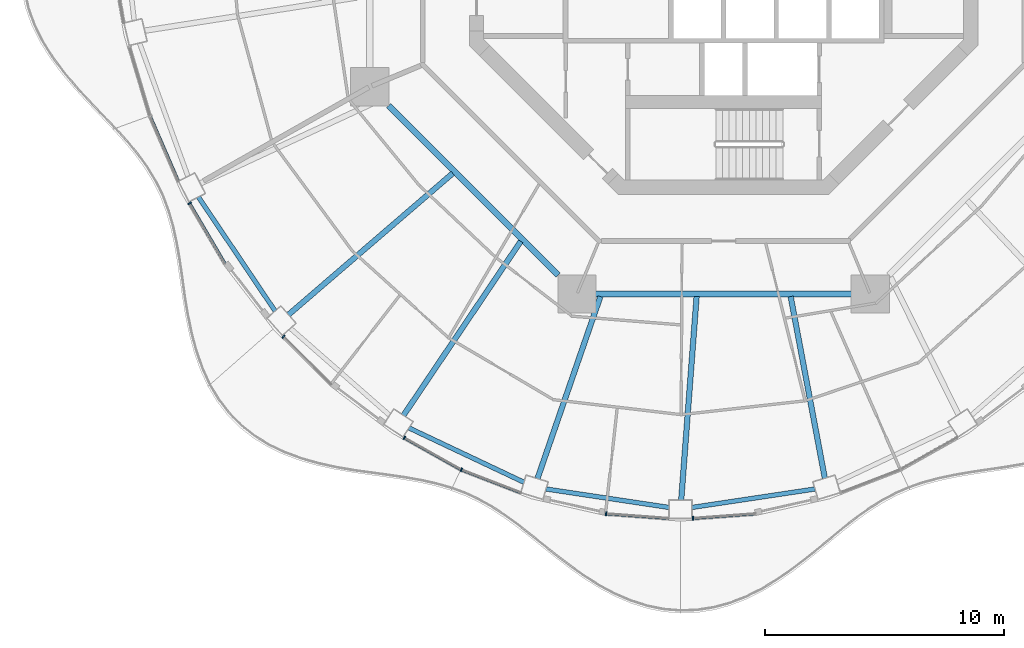
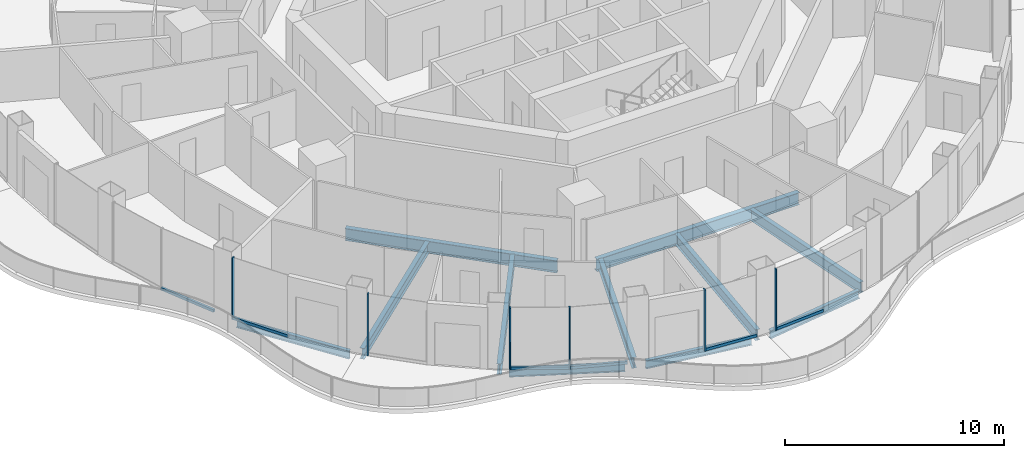
# One storey, part 2 of 18: 12 members, 11 beams, 7 elements without a shape of their own.
"""IFC4 building model written with IfcOpenShell, lengths in metres."""

import ifcopenshell
import ifcopenshell.guid

model = None  # the IFC model being written
_history = None  # IfcOwnerHistory: only IFC2X3 demands one
_inside = {}  # id of a spatial element -> (the spatial element, [elements in it])
_under = {}  # id of a project, library or spatial element -> (it, [spatial elements below it])
_declared = {}  # id of a project -> (the project, [libraries it declares])
_typed = {}  # id of a type object -> (the type object, [elements of that type])
_made_of = {}  # id of a material, layer set ... -> (it, [elements and type objects made of it])


def new_model(schema):
    """Start an empty IFC model of exactly this schema.

    Asked for "IFC4X3", IfcOpenShell would pick the latest addendum, in which some entities
    have other attributes; the version numbers below select the first issue.
    IFC2X3 requires an IfcOwnerHistory on every rooted entity: one is made here for all.
    """
    global model, _history
    if schema == "IFC4X3":
        model = ifcopenshell.file(schema_version=(4, 3, 0, 0))
    else:
        model = ifcopenshell.file(schema=schema)
    _inside.clear()
    _under.clear()
    _declared.clear()
    _typed.clear()
    _made_of.clear()
    _history = None
    if model.schema == "IFC2X3":
        org = make("IfcOrganization", Name="unknown")
        user = make(
            "IfcPersonAndOrganization",
            ThePerson=make("IfcPerson", FamilyName="unknown"),
            TheOrganization=org,
        )
        app = make(
            "IfcApplication",
            ApplicationDeveloper=org,
            Version="unknown",
            ApplicationFullName="unknown",
            ApplicationIdentifier="unknown",
        )
        _history = make(
            "IfcOwnerHistory",
            OwningUser=user,
            OwningApplication=app,
            ChangeAction="ADDED",
            CreationDate=0,
        )
    return model


def make(cls, **values):
    """One entity of the class cls with the attributes given. An attribute that is None is left unset."""
    return model.create_entity(
        cls, **{name: value for name, value in values.items() if value is not None}
    )


def rooted(cls, **values):
    """An entity with a GlobalId (a new one), such as an element, a storey or a relation."""
    return make(cls, GlobalId=ifcopenshell.guid.new(), OwnerHistory=_history, **values)


def si_unit(unit_type, name, prefix=None):
    """IfcSIUnit, for example si_unit("LENGTHUNIT", "METRE", prefix="MILLI")."""
    return make("IfcSIUnit", UnitType=unit_type, Prefix=prefix, Name=name)


def assignment(units):
    """IfcUnitAssignment: the units of a project."""
    return None if units is None else make("IfcUnitAssignment", Units=units)


def point(xyz):
    """IfcCartesianPoint."""
    return None if xyz is None else make("IfcCartesianPoint", Coordinates=xyz)


def direction(xyz):
    """IfcDirection."""
    return None if xyz is None else make("IfcDirection", DirectionRatios=xyz)


def frame(location, z_axis=None, x_axis=None):
    """IfcAxis2Placement3D, a coordinate frame: its origin and axes. An axis left out is left unset."""
    return make(
        "IfcAxis2Placement3D",
        Location=point(location),
        Axis=direction(z_axis),
        RefDirection=direction(x_axis),
    )


def frame_2d(location, x_axis=None):
    """IfcAxis2Placement2D, a coordinate frame in the plane: its origin and x axis."""
    return make(
        "IfcAxis2Placement2D", Location=point(location), RefDirection=direction(x_axis)
    )


def origin():
    """The frame at (0, 0, 0) with its axes left unset."""
    return frame((0.0, 0.0, 0.0))


def origin_2d():
    """The frame at (0, 0) in the plane with its x axis left unset."""
    return frame_2d((0.0, 0.0))


def place(relative_to, where):
    """IfcLocalPlacement: puts the frame where relative to a parent placement (None: the world)."""
    return make(
        "IfcLocalPlacement", PlacementRelTo=relative_to, RelativePlacement=where
    )


def context(
    kind, dimensions, precision=None, world=None, true_north=None, identifier=None
):
    """IfcGeometricRepresentationContext, for example the 3D "Model" context."""
    return make(
        "IfcGeometricRepresentationContext",
        ContextIdentifier=identifier,
        ContextType=kind,
        CoordinateSpaceDimension=dimensions,
        Precision=precision,
        WorldCoordinateSystem=world,
        TrueNorth=true_north,
    )


def subcontext(parent, identifier, kind, view, scale=None):
    """IfcGeometricRepresentationSubContext, for example "Body" below "Model"."""
    return make(
        "IfcGeometricRepresentationSubContext",
        ContextIdentifier=identifier,
        ContextType=kind,
        ParentContext=parent,
        TargetScale=scale,
        TargetView=view,
    )


def project(units=None, contexts=None):
    """IfcProject with its units and contexts."""
    return rooted(
        "IfcProject",
        Name="project",
        RepresentationContexts=contexts,
        UnitsInContext=assignment(units),
    )


def spatial(cls, under=None, at=None, **own):
    """A site, building, storey or space (cls), placed at a placement, below another one or the project."""
    s = rooted(cls, ObjectPlacement=at, **own)
    if under is not None:
        _under.setdefault(under.id(), (under, []))[1].append(s)
    return s


def profile(cls, at=None, kind="AREA", **sizes):
    """A parametric profile (cls). Its sizes go by their IFC names, for example OverallWidth=200.0."""
    return make(cls, ProfileType=kind, Position=at, **sizes)


def rectangle(**sizes):
    """IfcRectangleProfileDef."""
    return profile("IfcRectangleProfileDef", **sizes)


def i_section(**sizes):
    """IfcIShapeProfileDef."""
    return profile("IfcIShapeProfileDef", **sizes)


def extrude(swept, where, along, depth):
    """IfcExtrudedAreaSolid: the profile swept, set in the frame where, extruded along a direction by depth."""
    return make(
        "IfcExtrudedAreaSolid",
        SweptArea=swept,
        Position=where,
        ExtrudedDirection=direction(along),
        Depth=depth,
    )


def shape(context_of_items, identifier, shape_type, items):
    """IfcShapeRepresentation: the items that make up one representation, for example the "Body"."""
    return make(
        "IfcShapeRepresentation",
        ContextOfItems=context_of_items,
        RepresentationIdentifier=identifier,
        RepresentationType=shape_type,
        Items=items,
    )


def material(Name=None, Category=None):
    """IfcMaterial."""
    return make("IfcMaterial", Name=Name, Category=Category)


def layer(
    of_material, thickness, ventilated=None, Name=None, Category=None, Priority=None
):
    """IfcMaterialLayer: one layer of a wall or slab, of a material (None: an air gap)."""
    return make(
        "IfcMaterialLayer",
        Material=of_material,
        LayerThickness=thickness,
        IsVentilated=ventilated,
        Name=Name,
        Category=Category,
        Priority=Priority,
    )


def layer_set(layers, Name=None):
    """IfcMaterialLayerSet."""
    return make("IfcMaterialLayerSet", MaterialLayers=layers, LayerSetName=Name)


def material_profile(
    of_material, cross_section, Name=None, Category=None, Priority=None
):
    """IfcMaterialProfile: a cross section and its material."""
    return make(
        "IfcMaterialProfile",
        Name=Name,
        Material=of_material,
        Profile=cross_section,
        Priority=Priority,
        Category=Category,
    )


def profile_set(profiles, Name=None, composite=None):
    """IfcMaterialProfileSet."""
    return make(
        "IfcMaterialProfileSet",
        Name=Name,
        MaterialProfiles=profiles,
        CompositeProfile=composite,
    )


def made_of(thing, what):
    """Note that an element or type object is made of a material, layer set ...; save() writes the relation."""
    if what is not None:
        _made_of.setdefault(what.id(), (what, []))[1].append(thing)
    return thing


def type_object(cls, material=None, **own):
    """A type object (cls), such as IfcWallType, which elements share."""
    return made_of(rooted(cls, **own), material)


def element(
    cls,
    number,
    at=None,
    inside=None,
    cuts=None,
    type_object=None,
    material=None,
    context=None,
    identifier="Body",
    shape_type=None,
    held_by="IfcProductDefinitionShape",
    body=None,
    shapes=None,
    **own,
):
    """One element of the class cls, such as IfcWall. Its Tag is "e" and its number.

    at: its placement. inside: the storey or other place that contains it. cuts: it is an
    opening in that element (IfcRelVoidsElement). A single representation is given by context,
    identifier, shape_type and body (its items); several are given by shapes. held_by: the class
    of the entity that holds the representations. save() writes the other relations.
    """
    e = rooted(cls, Tag="e%d" % number, ObjectPlacement=at, **own)
    if body is not None:
        shapes = [shape(context, identifier, shape_type, body)]
    if shapes is not None:
        e.Representation = make(held_by, Representations=shapes)
    if inside is not None:
        _inside.setdefault(inside.id(), (inside, []))[1].append(e)
    if cuts is not None:
        rooted(
            "IfcRelVoidsElement", RelatingBuildingElement=cuts, RelatedOpeningElement=e
        )
    if type_object is not None:
        _typed.setdefault(type_object.id(), (type_object, []))[1].append(e)
    return made_of(e, material)


def aggregate(whole, parts):
    """IfcRelAggregates: a whole, such as a stair, and the parts it consists of."""
    return rooted("IfcRelAggregates", RelatingObject=whole, RelatedObjects=parts)


def save(model, path):
    """Write the relations noted so far, then the file.

    IfcRelAggregates (storeys below a building ...), IfcRelContainedInSpatialStructure (elements
    in a storey), IfcRelDefinesByType, IfcRelAssociatesMaterial and IfcRelDeclares: one each for
    every whole, place, type object, material and project.
    """
    for whole, parts in _under.values():
        aggregate(whole, parts)
    for where, things in _inside.values():
        rooted(
            "IfcRelContainedInSpatialStructure",
            RelatedElements=things,
            RelatingStructure=where,
        )
    for kind, things in _typed.values():
        rooted("IfcRelDefinesByType", RelatedObjects=things, RelatingType=kind)
    for what, things in _made_of.values():
        rooted("IfcRelAssociatesMaterial", RelatedObjects=things, RelatingMaterial=what)
    for by, libraries in _declared.values():
        rooted("IfcRelDeclares", RelatingContext=by, RelatedDefinitions=libraries)
    model.write(path)


model = new_model("IFC4")

# Units and contexts
model_context = context("Model", 3, precision=1e-05, world=origin(), true_north=direction((0.0, 1.0)))
body_context = subcontext(model_context, "Body", "Model", "MODEL_VIEW")
ifc_project = project(units=[si_unit("LENGTHUNIT", "METRE"), si_unit("AREAUNIT", "SQUARE_METRE"), si_unit("VOLUMEUNIT", "CUBIC_METRE"), si_unit("PLANEANGLEUNIT", "RADIAN"), si_unit("MASSUNIT", "GRAM", prefix="KILO")], contexts=[model_context])

# Site, building, storey
site_placement = place(None, origin())
site = spatial("IfcSite", under=ifc_project, at=site_placement, CompositionType="ELEMENT")
building_placement = place(site_placement, origin())
building = spatial("IfcBuilding", under=site, at=building_placement, Name="Nagisa Residences", CompositionType="ELEMENT")
storey_placement = place(building_placement, frame((0.0, 0.0, 223.300048828125)))
storey = spatial("IfcBuildingStorey", under=building, at=storey_placement, Name="L56", CompositionType="ELEMENT", Elevation=223.300048828125)

# Curtain wall, member
ifc_material_1 = material(Name="Concrete-coloured aluminium curtain wall system", Category="concrete")
ifc_layer = layer(ifc_material_1, 0.159912109375)
ifc_layer_set = layer_set([ifc_layer], Name="CW1 CURTAIN WALL")
curtain_wall_type = type_object("IfcCurtainWallType", Name="CW1 CURTAIN WALL", PredefinedType="NOTDEFINED", material=ifc_layer_set)
curtain_wall_1_placement = place(storey_placement, origin())
curtain_wall_1 = element("IfcCurtainWall", 1, at=curtain_wall_1_placement, inside=storey, type_object=curtain_wall_type, Name="cw:CW1:L56:28", PredefinedType="NOTDEFINED")
ifc_material_2 = material(Name="Concrete-coloured aluminium", Category="concrete")
ifc_material_profile_1 = material_profile(ifc_material_2, rectangle(XDim=0.159912109375, YDim=0.06005859375, at=origin_2d()), Name="CW1 MULLION 160x60")
ifc_profile_set_1 = profile_set([ifc_material_profile_1], Name="Concrete-coloured aluminium")
member_type_1 = type_object("IfcMemberType", Name="CW1 MULLION 160x60", PredefinedType="MULLION", material=ifc_profile_set_1)
member_1_placement = place(storey_placement, frame((-22.307861328125, -10.993896484375, 0.0), z_axis=(0.0, 0.0, 1.0), x_axis=(0.862328898214, 0.506348567002, 0.0)))
member_1 = element("IfcMember", 2, at=member_1_placement, type_object=member_type_1, Name="CW1 mullion", PredefinedType="MULLION", context=body_context, shape_type="SweptSolid", body=[
    extrude(rectangle(XDim=0.159912109375, YDim=0.06005859375, at=origin_2d()), origin(), (0.0, 0.0, 1.0), 3.43994140625),
])

curtain_wall_2_placement = place(storey_placement, origin())
curtain_wall_2 = element("IfcCurtainWall", 3, at=curtain_wall_2_placement, inside=storey, type_object=curtain_wall_type, Name="cw:CW1:L56:30", PredefinedType="NOTDEFINED")
member_2_placement = place(storey_placement, frame((-18.388427734375, -16.567626953125, 0.0), z_axis=(0.0, 0.0, 1.0), x_axis=(0.706376885714, 0.707835924016, 0.0)))
member_2 = element("IfcMember", 4, at=member_2_placement, type_object=member_type_1, Name="CW1 mullion", PredefinedType="MULLION", context=body_context, shape_type="SweptSolid", body=[
    extrude(rectangle(XDim=0.159912109375, YDim=0.06005859375, at=origin_2d()), origin(), (0.0, 0.0, 1.0), 3.43994140625),
])
aggregate(curtain_wall_2, [member_2])

curtain_wall_3_placement = place(storey_placement, origin())
curtain_wall_3 = element("IfcCurtainWall", 5, at=curtain_wall_3_placement, inside=storey, type_object=curtain_wall_type, Name="cw:CW1:L56:32", PredefinedType="NOTDEFINED")
member_3_placement = place(storey_placement, frame((-13.333740234375, -20.792236328125, 0.0), z_axis=(0.0, 0.0, 1.0), x_axis=(0.489376918501, 0.872072377523, 0.0)))
member_3 = element("IfcMember", 6, at=member_3_placement, type_object=member_type_1, Name="CW1 mullion", PredefinedType="MULLION", context=body_context, shape_type="SweptSolid", body=[
    extrude(rectangle(XDim=0.159912109375, YDim=0.06005859375, at=origin_2d()), origin(), (0.0, 0.0, 1.0), 3.43994140625),
])

curtain_wall_4_placement = place(storey_placement, origin())
curtain_wall_4 = element("IfcCurtainWall", 7, at=curtain_wall_4_placement, inside=storey, type_object=curtain_wall_type, Name="cw:CW1:L56:33", PredefinedType="NOTDEFINED")
member_4_placement = place(storey_placement, frame((-10.954345703125, -22.12353515625, 0.0), z_axis=(0.0, 0.0, 1.0), x_axis=(0.360327770268, 0.932825759707, 0.0)))
member_4 = element("IfcMember", 8, at=member_4_placement, type_object=member_type_1, Name="CW1 mullion", PredefinedType="MULLION", context=body_context, shape_type="SweptSolid", body=[
    extrude(rectangle(XDim=0.159912109375, YDim=0.06005859375, at=origin_2d()), origin(), (0.0, 0.0, 1.0), 3.43994140625),
])

curtain_wall_5_placement = place(storey_placement, origin())
curtain_wall_5 = element("IfcCurtainWall", 9, at=curtain_wall_5_placement, inside=storey, type_object=curtain_wall_type, Name="cw:CW1:L56:35", PredefinedType="NOTDEFINED")
member_5_placement = place(storey_placement, frame((-4.906005859375, -23.96044921875, 0.0), z_axis=(0.0, 0.0, 1.0), x_axis=(0.074377355493, 0.997230168512, 0.0)))
member_5 = element("IfcMember", 10, at=member_5_placement, type_object=member_type_1, Name="CW1 mullion", PredefinedType="MULLION", context=body_context, shape_type="SweptSolid", body=[
    extrude(rectangle(XDim=0.159912109375, YDim=0.06005859375, at=origin_2d()), origin(), (0.0, 0.0, 1.0), 3.43994140625),
])

curtain_wall_6_placement = place(storey_placement, origin())
curtain_wall_6 = element("IfcCurtainWall", 11, at=curtain_wall_6_placement, inside=storey, type_object=curtain_wall_type, Name="cw:CW1:L56:36", PredefinedType="NOTDEFINED")
member_6_placement = place(storey_placement, frame((-1.27734375, -24.153076171875, 0.0), z_axis=(0.0, 0.0, 1.0), x_axis=(-0.074377355493, 0.997230168512, 0.0)))
member_6 = element("IfcMember", 12, at=member_6_placement, type_object=member_type_1, Name="CW1 mullion", PredefinedType="MULLION", context=body_context, shape_type="SweptSolid", body=[
    extrude(rectangle(XDim=0.159912109375, YDim=0.06005859375, at=origin_2d()), origin(), (0.0, 0.0, 1.0), 3.43994140625),
])

curtain_wall_7_placement = place(storey_placement, origin())
curtain_wall_7 = element("IfcCurtainWall", 13, at=curtain_wall_7_placement, inside=storey, type_object=curtain_wall_type, Name="cw:CW1:L56:27", PredefinedType="NOTDEFINED")
ifc_material_3 = material(Name="Concrete-coloured aluminium", Category="concrete")
ifc_material_profile_2 = material_profile(ifc_material_3, rectangle(XDim=0.1201171875, YDim=0.14990234375, at=origin_2d()), Name="CW1 TRANSOM 120x150")
ifc_profile_set_2 = profile_set([ifc_material_profile_2], Name="Concrete-coloured aluminium")
member_type_2 = type_object("IfcMemberType", Name="CW1 TRANSOM 120x150", PredefinedType="USERDEFINED", material=ifc_profile_set_2)
member_7_placement = place(storey_placement, frame((-23.96435546875, -7.332275390625, 0.074951171875), z_axis=(0.397616567135, -0.917551669139, 0.0), x_axis=(0.917551669139, 0.397616567135, 0.0)))
member_7 = element("IfcMember", 14, at=member_7_placement, type_object=member_type_2, Name="CW1 transom", ObjectType="TRANSOM", PredefinedType="USERDEFINED", context=body_context, shape_type="SweptSolid", body=[
    extrude(rectangle(XDim=0.1201171875, YDim=0.14990234375, at=origin_2d()), origin(), (0.0, 0.0, 1.0), 3.001953125),
])
aggregate(curtain_wall_7, [member_7])

# Member
member_8_placement = place(storey_placement, frame((-22.322998046875, -10.968017578125, 0.074951171875), z_axis=(0.506294090973, -0.862360883532, 0.0), x_axis=(0.862360883532, 0.506294090973, 0.0)))
member_8 = element("IfcMember", 15, at=member_8_placement, type_object=member_type_2, Name="CW1 transom", ObjectType="TRANSOM", PredefinedType="USERDEFINED", context=body_context, shape_type="SweptSolid", body=[
    extrude(rectangle(XDim=0.1201171875, YDim=0.14990234375, at=origin_2d()), origin(), (0.0, 0.0, 1.0), 2.95458984375),
])

aggregate(curtain_wall_1, [member_1, member_8])

member_9_placement = place(storey_placement, frame((-13.35986328125, -20.777587890625, 0.074951171875), z_axis=(0.872063230277, -0.489393218586, 0.0), x_axis=(0.489393218586, 0.872063230277, 0.0)))
member_9 = element("IfcMember", 16, at=member_9_placement, type_object=member_type_2, Name="CW1 transom", ObjectType="TRANSOM", PredefinedType="USERDEFINED", context=body_context, shape_type="SweptSolid", body=[
    extrude(rectangle(XDim=0.1201171875, YDim=0.14990234375, at=origin_2d()), origin(), (0.0, 0.0, 1.0), 2.73828125),
])

aggregate(curtain_wall_3, [member_3, member_9])

member_10_placement = place(storey_placement, frame((-10.982421875, -22.11279296875, 0.074951171875), z_axis=(0.932838255163, -0.360295420044, 0.0), x_axis=(0.360295420044, 0.932838255163, 0.0)))
member_10 = element("IfcMember", 17, at=member_10_placement, type_object=member_type_2, Name="CW1 transom", ObjectType="TRANSOM", PredefinedType="USERDEFINED", context=body_context, shape_type="SweptSolid", body=[
    extrude(rectangle(XDim=0.1201171875, YDim=0.14990234375, at=origin_2d()), origin(), (0.0, 0.0, 1.0), 2.6962890625),
])

aggregate(curtain_wall_4, [member_4, member_10])

member_11_placement = place(storey_placement, frame((-4.935791015625, -23.958251953125, 0.074951171875), z_axis=(0.997233213085, -0.074336523458, 0.0), x_axis=(0.074336523458, 0.997233213085, 0.0)))
member_11 = element("IfcMember", 18, at=member_11_placement, type_object=member_type_2, Name="CW1 transom", ObjectType="TRANSOM", PredefinedType="USERDEFINED", context=body_context, shape_type="SweptSolid", body=[
    extrude(rectangle(XDim=0.1201171875, YDim=0.14990234375, at=origin_2d()), origin(), (0.0, 0.0, 1.0), 2.650390625),
])

aggregate(curtain_wall_5, [member_5, member_11])

member_12_placement = place(storey_placement, frame((-1.307373046875, -24.1552734375, 0.074951171875), z_axis=(0.997233213085, 0.074336523458, 0.0), x_axis=(-0.074336523458, 0.997233213085, 0.0)))
member_12 = element("IfcMember", 19, at=member_12_placement, type_object=member_type_2, Name="CW1 transom", ObjectType="TRANSOM", PredefinedType="USERDEFINED", context=body_context, shape_type="SweptSolid", body=[
    extrude(rectangle(XDim=0.1201171875, YDim=0.14990234375, at=origin_2d()), origin(), (0.0, 0.0, 1.0), 2.650390625),
])

aggregate(curtain_wall_6, [member_6, member_12])

# Beams
ifc_material_4 = material(Name="Steel ASTM A572 Gr 50", Category="steel")
ifc_material_profile_3 = material_profile(ifc_material_4, i_section(OverallWidth=0.2529296875, OverallDepth=0.677978515625, WebThickness=0.01171875, FlangeThickness=0.016357421875, at=origin_2d()), Name="W690x125")
ifc_profile_set_3 = profile_set([ifc_material_profile_3], Name="Steel ASTM A572 Gr 50")
beam_type_1 = type_object("IfcBeamType", Name="Inner ring beam W690x125", PredefinedType="BEAM", material=ifc_profile_set_3)
beam_1_placement = place(storey_placement, frame((-13.99609375, -6.90869140625, -0.59912109375), z_axis=(0.707106781187, -0.707106781187, 0.0), x_axis=(0.707106781187, 0.707106781187, 0.0)))
element("IfcBeam", 20, at=beam_1_placement, inside=storey, type_object=beam_type_1, Name="beam:L56:ib5", PredefinedType="BEAM", context=body_context, shape_type="SweptSolid", body=[
    extrude(i_section(OverallWidth=0.2529296875, OverallDepth=0.677978515625, WebThickness=0.01171875, FlangeThickness=0.016357421875, at=origin_2d()), origin(), (0.0, 0.0, 1.0), 10.023193359375),
])
beam_2_placement = place(storey_placement, frame((-5.343017578125, -14.781982421875, -0.59912109375), z_axis=(1.0, 0.0, 0.0), x_axis=(0.0, 1.0, 0.0)))
element("IfcBeam", 21, at=beam_2_placement, inside=storey, type_object=beam_type_1, Name="beam:L56:ib6", PredefinedType="BEAM", context=body_context, shape_type="SweptSolid", body=[
    extrude(i_section(OverallWidth=0.2529296875, OverallDepth=0.677978515625, WebThickness=0.01171875, FlangeThickness=0.016357421875, at=origin_2d()), origin(), (0.0, 0.0, 1.0), 10.68603515625),
])
ifc_material_5 = material(Name="Steel ASTM A572 Gr 50", Category="steel")
ifc_material_profile_4 = material_profile(ifc_material_5, i_section(OverallWidth=0.18994140625, OverallDepth=0.45703125, WebThickness=0.009033203125, FlangeThickness=0.014404296875, at=origin_2d()), Name="W460x74")
ifc_profile_set_4 = profile_set([ifc_material_profile_4], Name="Steel ASTM A572 Gr 50")
beam_type_2 = type_object("IfcBeamType", Name="Perimeter ring beam W460x74", PredefinedType="BEAM", material=ifc_profile_set_4)
beam_3_placement = place(storey_placement, frame((-21.942138671875, -10.728759765625, -0.488525390625), z_axis=(0.558079852096, -0.829787249049, 0.0), x_axis=(0.829787249049, 0.558079852096, 0.0)))
element("IfcBeam", 22, at=beam_3_placement, inside=storey, type_object=beam_type_2, Name="beam:L56:pb15", PredefinedType="BEAM", context=body_context, shape_type="SweptSolid", body=[
    extrude(i_section(OverallWidth=0.18994140625, OverallDepth=0.45703125, WebThickness=0.009033203125, FlangeThickness=0.014404296875, at=origin_2d()), origin(), (0.0, 0.0, 1.0), 5.743408203125),
])
beam_4_placement = place(storey_placement, frame((-13.146484375, -20.376953125, -0.488525390625), z_axis=(0.904133867308, -0.42724928319, 0.0), x_axis=(0.42724928319, 0.904133867308, 0.0)))
element("IfcBeam", 23, at=beam_4_placement, inside=storey, type_object=beam_type_2, Name="beam:L56:pb17", PredefinedType="BEAM", context=body_context, shape_type="SweptSolid", body=[
    extrude(i_section(OverallWidth=0.18994140625, OverallDepth=0.45703125, WebThickness=0.009033203125, FlangeThickness=0.014404296875, at=origin_2d()), origin(), (0.0, 0.0, 1.0), 5.317138671875),
])
for number, where, z_axis, x_axis, name in (
    (24, (-7.42041015625, -22.92822265625, -0.488525390625), (0.988909463745, -0.148519603133, 0.0), (0.148519603133, 0.988909463745, 0.0), "beam:L56:pb18"),
    (25, (-1.31982421875, -23.7001953125, -0.488525390625), (0.988909463745, 0.148519603133, 0.0), (-0.148519603133, 0.988909463745, 0.0), "beam:L56:pb19"),
):
    element("IfcBeam", number, at=place(storey_placement, frame(where, z_axis=z_axis, x_axis=x_axis)), inside=storey, type_object=beam_type_2, Name=name, PredefinedType="BEAM", context=body_context, shape_type="SweptSolid", body=[
        extrude(i_section(OverallWidth=0.18994140625, OverallDepth=0.45703125, WebThickness=0.009033203125, FlangeThickness=0.014404296875, at=origin_2d()), origin(), (0.0, 0.0, 1.0), 5.19775390625),
    ])
ifc_material_6 = material(Name="Steel ASTM A572 Gr 50", Category="steel")
ifc_material_profile_5 = material_profile(ifc_material_6, i_section(OverallWidth=0.22802734375, OverallDepth=0.60302734375, WebThickness=0.010498046875, FlangeThickness=0.014892578125, at=origin_2d()), Name="W610x101")
ifc_profile_set_5 = profile_set([ifc_material_profile_5], Name="Steel ASTM A572 Gr 50")
beam_type_3 = type_object("IfcBeamType", Name="Radial beam W610x101", PredefinedType="BEAM", material=ifc_profile_set_5)
beam_5_placement = place(storey_placement, frame((-18.178466796875, -15.6484375, -0.5615234375), z_axis=(0.7578828397, 0.652390681485, 0.0), x_axis=(-0.652390681485, 0.7578828397, 0.0)))
element("IfcBeam", 26, at=beam_5_placement, inside=storey, type_object=beam_type_3, Name="beam:L56:rb16", PredefinedType="BEAM", context=body_context, shape_type="SweptSolid", body=[
    extrude(i_section(OverallWidth=0.22802734375, OverallDepth=0.60302734375, WebThickness=0.010498046875, FlangeThickness=0.014892578125, at=origin_2d()), origin(), (0.0, 0.0, 1.0), 9.055908203125),
])
beam_6_placement = place(storey_placement, frame((-13.372802734375, -19.8544921875, -0.5615234375), z_axis=(0.558639079644, 0.829410862416, 0.0), x_axis=(-0.829410862416, 0.558639079644, 0.0)))
element("IfcBeam", 27, at=beam_6_placement, inside=storey, type_object=beam_type_3, Name="beam:L56:rb17", PredefinedType="BEAM", context=body_context, shape_type="SweptSolid", body=[
    extrude(i_section(OverallWidth=0.22802734375, OverallDepth=0.60302734375, WebThickness=0.010498046875, FlangeThickness=0.014892578125, at=origin_2d()), origin(), (0.0, 0.0, 1.0), 8.7685546875),
])
beam_7_placement = place(storey_placement, frame((-7.776123046875, -22.49658203125, -0.5615234375), z_axis=(0.32669171318, 0.945130956291, 0.0), x_axis=(-0.945130956291, 0.32669171318, 0.0)))
element("IfcBeam", 28, at=beam_7_placement, inside=storey, type_object=beam_type_3, Name="beam:L56:rb18", PredefinedType="BEAM", context=body_context, shape_type="SweptSolid", body=[
    extrude(i_section(OverallWidth=0.22802734375, OverallDepth=0.60302734375, WebThickness=0.010498046875, FlangeThickness=0.014892578125, at=origin_2d()), origin(), (0.0, 0.0, 1.0), 8.048583984375),
])
beam_8_placement = place(storey_placement, frame((-1.771240234375, -23.392333984375, -0.5615234375), z_axis=(0.075492377513, 0.997146378892, 0.0), x_axis=(-0.997146378892, 0.075492377513, 0.0)))
element("IfcBeam", 29, at=beam_8_placement, inside=storey, type_object=beam_type_3, Name="beam:L56:rb19", PredefinedType="BEAM", context=body_context, shape_type="SweptSolid", body=[
    extrude(i_section(OverallWidth=0.22802734375, OverallDepth=0.60302734375, WebThickness=0.010498046875, FlangeThickness=0.014892578125, at=origin_2d()), origin(), (0.0, 0.0, 1.0), 8.528076171875),
])
beam_9_placement = place(storey_placement, frame((4.229736328125, -22.480224609375, -0.5615234375), z_axis=(-0.184925861179, 0.982752474363, 0.0), x_axis=(-0.982752474363, -0.184925861179, 0.0)))
element("IfcBeam", 30, at=beam_9_placement, inside=storey, type_object=beam_type_3, Name="beam:L56:rb20", PredefinedType="BEAM", context=body_context, shape_type="SweptSolid", body=[
    extrude(i_section(OverallWidth=0.22802734375, OverallDepth=0.60302734375, WebThickness=0.010498046875, FlangeThickness=0.014892578125, at=origin_2d()), origin(), (0.0, 0.0, 1.0), 7.724609375),
])

save(model, "model.ifc")
